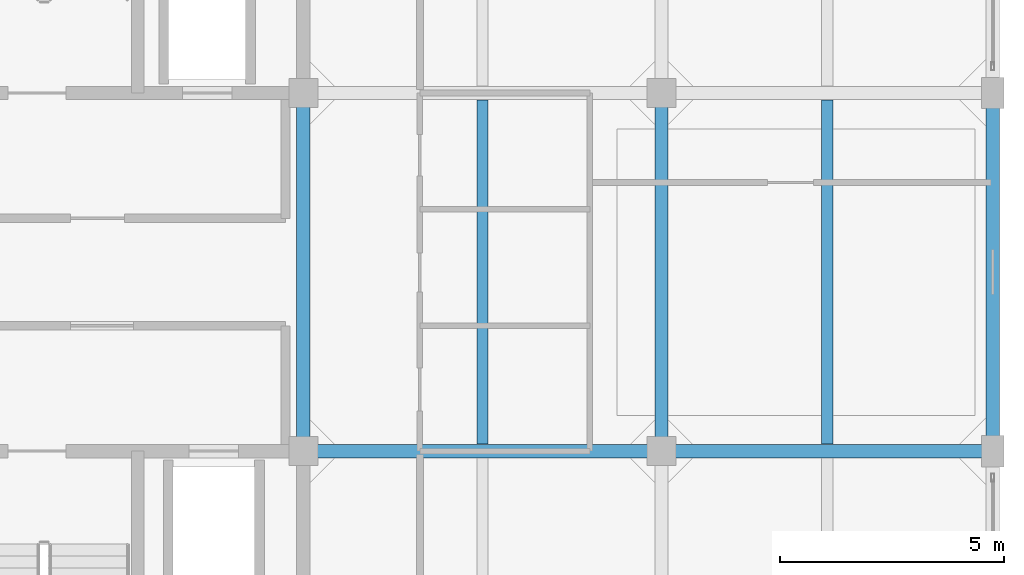
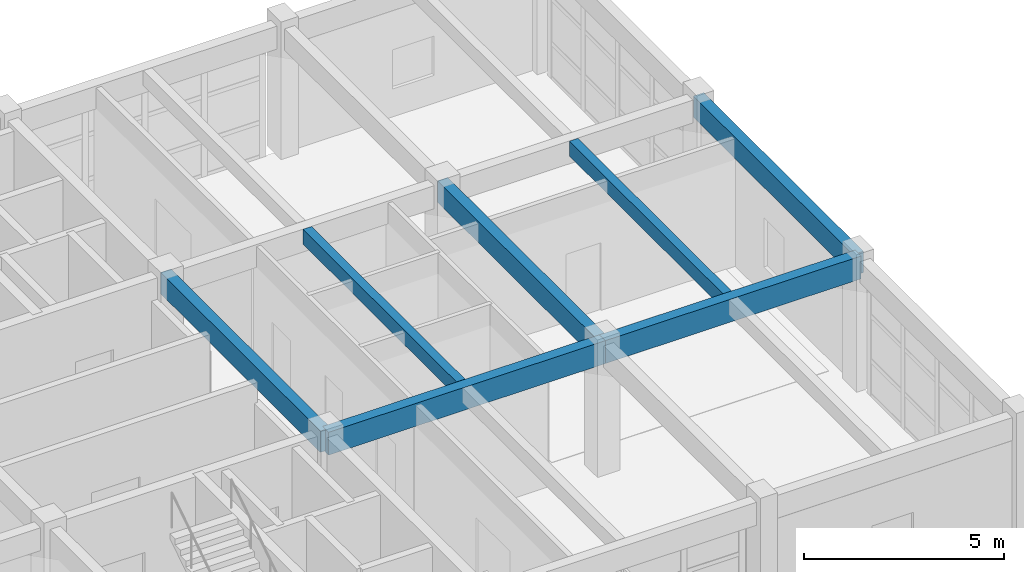
# One storey, part 6 of 16: 7 beams.
"""IFC4 building model written with IfcOpenShell, lengths in metres."""

from ifc_helpers import new_model, si_unit, direction, frame, origin, origin_2d, place, context, subcontext, project, spatial, rectangle, extrude, material, material_profile, profile_set, type_object, element, save


model = new_model("IFC4")

# Units and contexts
model_context = context("Model", 3, precision=1e-05, world=origin(), true_north=direction((0.0, 1.0)))
body_context = subcontext(model_context, "Body", "Model", "MODEL_VIEW")
ifc_project = project(units=[si_unit("LENGTHUNIT", "METRE"), si_unit("AREAUNIT", "SQUARE_METRE"), si_unit("VOLUMEUNIT", "CUBIC_METRE"), si_unit("PLANEANGLEUNIT", "RADIAN"), si_unit("MASSUNIT", "GRAM", prefix="KILO")], contexts=[model_context])

# Site, building, storey
site_placement = place(None, origin())
site = spatial("IfcSite", under=ifc_project, at=site_placement, CompositionType="ELEMENT")
building_placement = place(site_placement, origin())
building = spatial("IfcBuilding", under=site, at=building_placement, Name="Canggui Botanical Conservatory", CompositionType="ELEMENT")
storey_placement = place(building_placement, frame((0.0, 0.0, 65.39990234375)))
storey = spatial("IfcBuildingStorey", under=building, at=storey_placement, Name="L16", CompositionType="ELEMENT", Elevation=65.39990234375)

# Beams
ifc_material = material(Name="Concrete C35", Category="concrete")
ifc_material_profile_1 = material_profile(ifc_material, rectangle(XDim=0.25, YDim=0.449951171875, at=origin_2d()), Name="RB 250x450")
ifc_profile_set_1 = profile_set([ifc_material_profile_1], Name="Concrete C35")
beam_type_1 = type_object("IfcBeamType", Name="BM-JST05", PredefinedType="JOIST", material=ifc_profile_set_1)
for number, where, z_axis, x_axis, name in (
    (1, (166.0, 50.155029296875, 3.735107421875), (0.0, 1.0, 0.0), (-1.0, 0.0, 0.0), "Secondary Floor Joist L16-3-2"),
    (2, (173.699951171875, 50.155029296875, 3.735107421875), (0.0, 1.0, 0.0), (-1.0, 0.0, 0.0), "Secondary Floor Joist L16-4-2"),
):
    element("IfcBeam", number, at=place(storey_placement, frame(where, z_axis=z_axis, x_axis=x_axis)), inside=storey, type_object=beam_type_1, Name=name, PredefinedType="JOIST", context=body_context, shape_type="SweptSolid", body=[
        extrude(rectangle(XDim=0.25, YDim=0.449951171875, at=origin_2d()), origin(), (0.0, 0.0, 1.0), 7.68994140625),
    ])
ifc_material_profile_2 = material_profile(ifc_material, rectangle(XDim=0.300048828125, YDim=0.699951171875, at=origin_2d()), Name="RB 300x700")
ifc_profile_set_2 = profile_set([ifc_material_profile_2], Name="Concrete C35")
beam_type_2 = type_object("IfcBeamType", Name="BM-KL21", PredefinedType="BEAM", material=ifc_profile_set_2)
beam_1_placement = place(storey_placement, frame((162.0, 50.0, 3.610107421875), z_axis=(1.0, 0.0, 0.0), x_axis=(0.0, 1.0, 0.0)))
element("IfcBeam", 3, at=beam_1_placement, inside=storey, type_object=beam_type_2, Name="Frame Girder L16 Y50-3", PredefinedType="BEAM", context=body_context, shape_type="SweptSolid", body=[
    extrude(rectangle(XDim=0.300048828125, YDim=0.699951171875, at=origin_2d()), origin(), (0.0, 0.0, 1.0), 8.0),
])
beam_2_placement = place(storey_placement, frame((170.0, 50.0, 3.610107421875), z_axis=(1.0, 0.0, 0.0), x_axis=(0.0, 1.0, 0.0)))
element("IfcBeam", 4, at=beam_2_placement, inside=storey, type_object=beam_type_2, Name="Frame Girder L16 Y50-4", PredefinedType="BEAM", context=body_context, shape_type="SweptSolid", body=[
    extrude(rectangle(XDim=0.300048828125, YDim=0.699951171875, at=origin_2d()), origin(), (0.0, 0.0, 1.0), 7.39990234375),
])
ifc_material_profile_3 = material_profile(ifc_material, rectangle(XDim=0.300048828125, YDim=0.64990234375, at=origin_2d()), Name="RB 300x650")
ifc_profile_set_3 = profile_set([ifc_material_profile_3], Name="Concrete C35")
beam_type_3 = type_object("IfcBeamType", Name="BM-KL22", PredefinedType="BEAM", material=ifc_profile_set_3)
for number, where, z_axis, x_axis, name in (
    (5, (162.0, 50.0, 3.635009765625), (0.0, 1.0, 0.0), (-1.0, 0.0, 0.0), "Frame Girder L16 X162-2"),
    (6, (170.0, 50.0, 3.635009765625), (0.0, 1.0, 0.0), (-1.0, 0.0, 0.0), "Frame Girder L16 X170-2"),
    (7, (177.39990234375, 50.0, 3.635009765625), (0.0, 1.0, 0.0), (-1.0, 0.0, 0.0), "Frame Girder L16 X178-2"),
):
    element("IfcBeam", number, at=place(storey_placement, frame(where, z_axis=z_axis, x_axis=x_axis)), inside=storey, type_object=beam_type_3, Name=name, PredefinedType="BEAM", context=body_context, shape_type="SweptSolid", body=[
        extrude(rectangle(XDim=0.300048828125, YDim=0.64990234375, at=origin_2d()), origin(), (0.0, 0.0, 1.0), 8.0),
    ])

save(model, "model.ifc")
